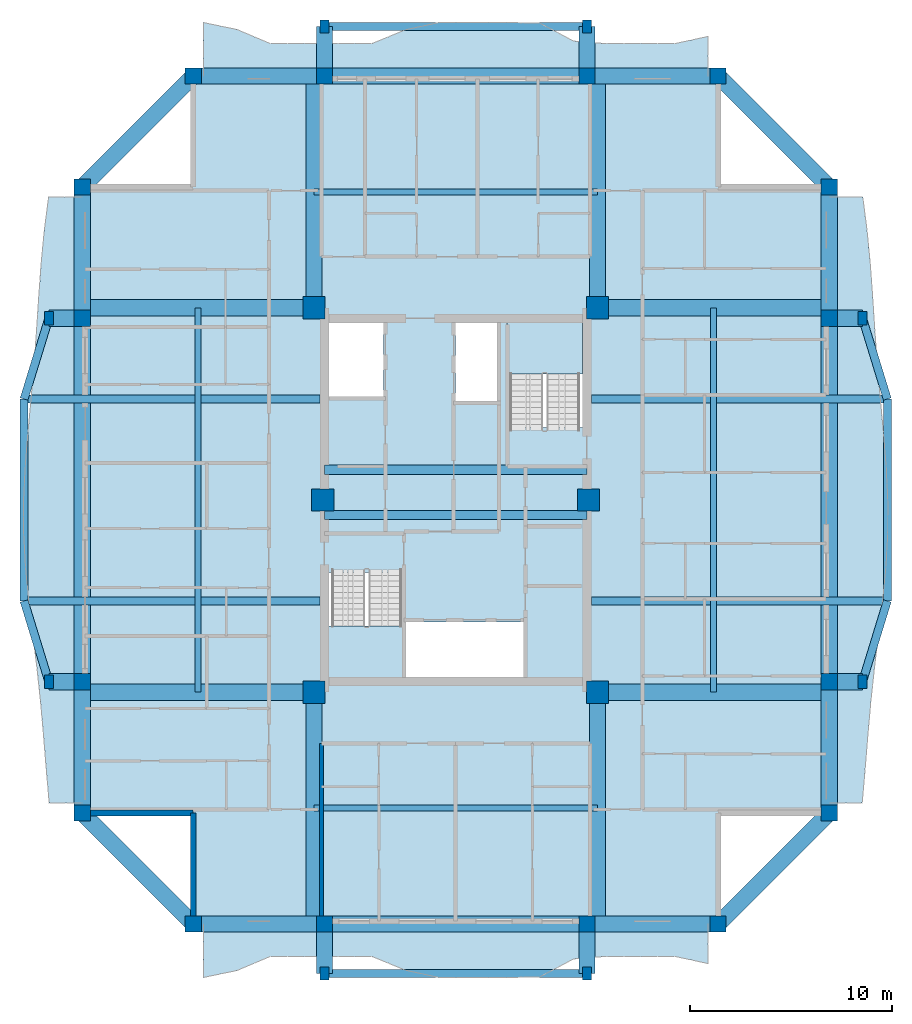
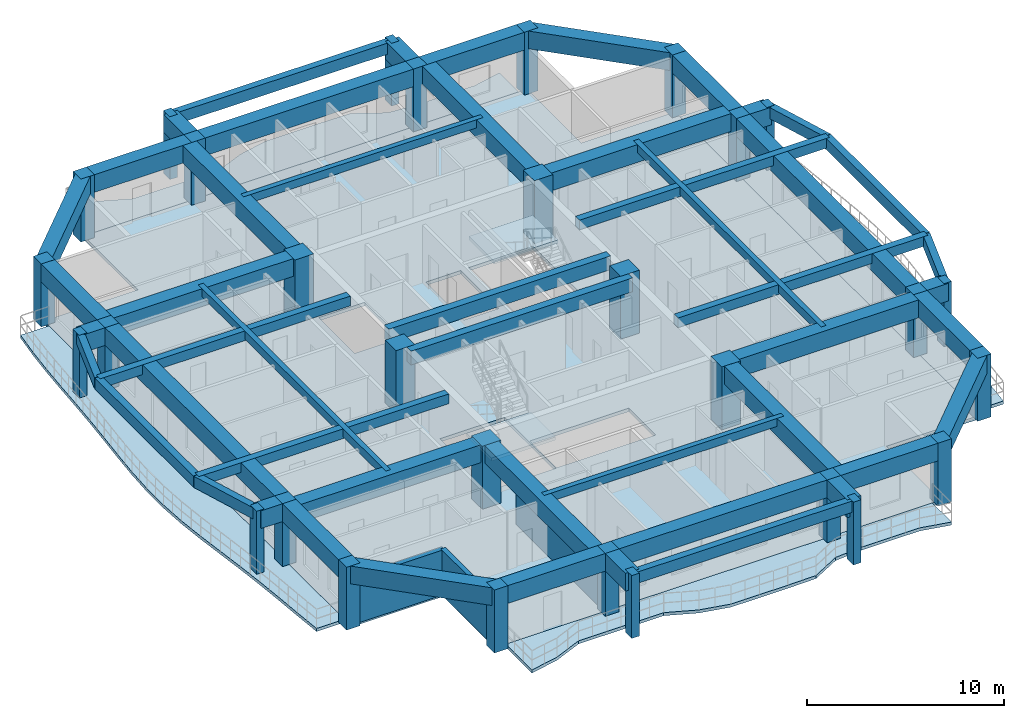
# One storey, part 1 of 14: 50 beams, 30 columns, 7 slabs, 3 walls, 2 elements without a shape of their own.
"""IFC4 building model written with IfcOpenShell, lengths in metres."""

from ifc_helpers import new_model, si_unit, direction, frame, frame_2d, origin, origin_2d, place, context, subcontext, project, spatial, polyline, rectangle, outline, extrude, source, transform, mapped, material, layer, layer_set, material_profile, profile_set, type_object, element, aggregate, save


model = new_model("IFC4")

# Units and contexts
model_context = context("Model", 3, precision=1e-05, world=origin(), true_north=direction((0.0, 1.0)))
body_context = subcontext(model_context, "Body", "Model", "MODEL_VIEW")
ifc_project = project(units=[si_unit("LENGTHUNIT", "METRE"), si_unit("AREAUNIT", "SQUARE_METRE"), si_unit("VOLUMEUNIT", "CUBIC_METRE"), si_unit("PLANEANGLEUNIT", "RADIAN"), si_unit("MASSUNIT", "GRAM", prefix="KILO")], contexts=[model_context])

# Site, building, storey
site_placement = place(None, origin())
site = spatial("IfcSite", under=ifc_project, at=site_placement, CompositionType="ELEMENT")
building_placement = place(site_placement, origin())
building = spatial("IfcBuilding", under=site, at=building_placement, Name="Saelheon Loggia Tower", CompositionType="ELEMENT")
storey_placement = place(building_placement, frame((0.0, 0.0, 202.60009765625)))
storey = spatial("IfcBuildingStorey", under=building, at=storey_placement, Name="L63", CompositionType="ELEMENT", Elevation=202.60009765625)

# Columns
ifc_material_1 = material(Name="Concrete C50/60", Category="concrete")
ifc_material_profile_1 = material_profile(ifc_material_1, rectangle(XDim=1.10009765625, YDim=1.10009765625, at=origin_2d()), Name="RC-1100x1100")
ifc_profile_set_1 = profile_set([ifc_material_profile_1], Name="Concrete C50/60")
column_type_1 = type_object("IfcColumnType", Name="Col_Core_RC1100", PredefinedType="COLUMN", material=ifc_profile_set_1)
shared_shape_1 = source(origin(), body_context, "Body", "SweptSolid", [
    extrude(rectangle(XDim=1.10009765625, YDim=1.10009765625, at=origin_2d()), origin(), (0.0, 0.0, 1.0), 3.89990234375),
])
for number, where, z_axis, x_axis, name in (
    (1, (30.97998046875, 17.47998046875, 0.0), (0.0, 0.0, 1.0), (1.0, 0.0, 0.0), "L63 Core Column CR-SW"),
    (2, (45.02001953125, 17.47998046875, 0.0), (0.0, 0.0, 1.0), (1.0, 0.0, 0.0), "L63 Core Column CR-SE"),
    (3, (30.97998046875, 36.52001953125, 0.0), (0.0, 0.0, 1.0), (1.0, 0.0, 0.0), "L63 Core Column CR-NW"),
    (4, (45.02001953125, 36.52001953125, 0.0), (0.0, 0.0, 1.0), (1.0, 0.0, 0.0), "L63 Core Column CR-NE"),
    (5, (31.419921875, 27.0, 0.0), (0.0, 0.0, 1.0), (1.0, 0.0, 0.0), "L63 Core Column CR-MW"),
    (6, (44.580078125, 27.0, 0.0), (0.0, 0.0, 1.0), (1.0, 0.0, 0.0), "L63 Core Column CR-ME"),
):
    element("IfcColumn", number, at=place(storey_placement, frame(where, z_axis=z_axis, x_axis=x_axis)), inside=storey, type_object=column_type_1, Name=name, PredefinedType="COLUMN", context=body_context, shape_type="MappedRepresentation", body=[
        mapped(shared_shape_1, transform((0.0, 0.0, 0.0), scale=1.0)),
    ])
ifc_material_2 = material(Name="Concrete C45/55", Category="concrete")
ifc_material_profile_2 = material_profile(ifc_material_2, rectangle(XDim=0.800048828125, YDim=0.800048828125, at=origin_2d()), Name="RC-800x800")
ifc_profile_set_2 = profile_set([ifc_material_profile_2], Name="Concrete C45/55")
column_type_2 = type_object("IfcColumnType", Name="Col_Perim_RC800", PredefinedType="COLUMN", material=ifc_profile_set_2)
shared_shape_2 = source(origin(), body_context, "Body", "SweptSolid", [
    extrude(rectangle(XDim=0.800048828125, YDim=0.800048828125, at=origin_2d()), origin(), (0.0, 0.0, 1.0), 3.89990234375),
])
for number, where, z_axis, x_axis, name in (
    (7, (25.0, 6.0, 0.0), (0.0, 0.0, 1.0), (1.0, 0.0, 0.0), "L63 Perimeter Column TP-S1"),
    (8, (31.5, 6.0, 0.0), (0.0, 0.0, 1.0), (1.0, 0.0, 0.0), "L63 Perimeter Column TP-SA"),
    (9, (44.5, 6.0, 0.0), (0.0, 0.0, 1.0), (1.0, 0.0, 0.0), "L63 Perimeter Column TP-SB"),
    (10, (51.0, 6.0, 0.0), (0.0, 0.0, 1.0), (1.0, 0.0, 0.0), "L63 Perimeter Column TP-S2"),
    (11, (56.5, 11.5, 0.0), (0.0, 0.0, 1.0), (1.0, 0.0, 0.0), "L63 Perimeter Column TP-E1"),
    (12, (56.5, 18.0, 0.0), (0.0, 0.0, 1.0), (1.0, 0.0, 0.0), "L63 Perimeter Column TP-EA"),
    (13, (56.5, 36.0, 0.0), (0.0, 0.0, 1.0), (1.0, 0.0, 0.0), "L63 Perimeter Column TP-EB"),
    (14, (56.5, 42.5, 0.0), (0.0, 0.0, 1.0), (1.0, 0.0, 0.0), "L63 Perimeter Column TP-E2"),
    (15, (51.0, 48.0, 0.0), (0.0, 0.0, 1.0), (1.0, 0.0, 0.0), "L63 Perimeter Column TP-N2"),
    (16, (44.5, 48.0, 0.0), (0.0, 0.0, 1.0), (1.0, 0.0, 0.0), "L63 Perimeter Column TP-NB"),
    (17, (31.5, 48.0, 0.0), (0.0, 0.0, 1.0), (1.0, 0.0, 0.0), "L63 Perimeter Column TP-NA"),
    (18, (25.0, 48.0, 0.0), (0.0, 0.0, 1.0), (1.0, 0.0, 0.0), "L63 Perimeter Column TP-N1"),
    (19, (19.5, 42.5, 0.0), (0.0, 0.0, 1.0), (1.0, 0.0, 0.0), "L63 Perimeter Column TP-W2"),
    (20, (19.5, 36.0, 0.0), (0.0, 0.0, 1.0), (1.0, 0.0, 0.0), "L63 Perimeter Column TP-WB"),
    (21, (19.5, 18.0, 0.0), (0.0, 0.0, 1.0), (1.0, 0.0, 0.0), "L63 Perimeter Column TP-WA"),
    (22, (19.5, 11.5, 0.0), (0.0, 0.0, 1.0), (1.0, 0.0, 0.0), "L63 Perimeter Column TP-W1"),
):
    element("IfcColumn", number, at=place(storey_placement, frame(where, z_axis=z_axis, x_axis=x_axis)), inside=storey, type_object=column_type_2, Name=name, PredefinedType="COLUMN", context=body_context, shape_type="MappedRepresentation", body=[
        mapped(shared_shape_2, transform((0.0, 0.0, 0.0), scale=1.0)),
    ])
ifc_material_3 = material(Name="Precast Concrete C45/55", Category="concrete")
ifc_material_profile_3 = material_profile(ifc_material_3, rectangle(XDim=0.449951171875, YDim=0.64990234375, at=origin_2d()), Name="RC-450x650")
ifc_profile_set_3 = profile_set([ifc_material_profile_3], Name="Precast Concrete C45/55")
column_type_3 = type_object("IfcColumnType", Name="Col_Loggia_Pilaster_650", PredefinedType="PILASTER", material=ifc_profile_set_3)
shared_shape_3 = source(origin(), body_context, "Body", "SweptSolid", [
    extrude(rectangle(XDim=0.449951171875, YDim=0.64990234375, at=origin_2d()), origin(), (0.0, 0.0, 1.0), 3.89990234375),
])
for number, where, z_axis, x_axis, name in (
    (23, (31.5, 3.550048828125, 0.0), (0.0, 0.0, 1.0), (1.0, 0.0, 0.0), "L63 Loggia Frame Pilaster LP-S1"),
    (24, (44.5, 3.550048828125, 0.0), (0.0, 0.0, 1.0), (1.0, 0.0, 0.0), "L63 Loggia Frame Pilaster LP-S2"),
    (25, (31.5, 50.449951171875, 0.0), (0.0, 0.0, 1.0), (1.0, 0.0, 0.0), "L63 Loggia Frame Pilaster LP-N1"),
    (26, (44.5, 50.449951171875, 0.0), (0.0, 0.0, 1.0), (1.0, 0.0, 0.0), "L63 Loggia Frame Pilaster LP-N2"),
    (27, (58.14990234375, 18.0, 0.0), (0.0, 0.0, 1.0), (1.0, 0.0, 0.0), "L63 Loggia Frame Pilaster LP-E1"),
    (28, (58.14990234375, 36.0, 0.0), (0.0, 0.0, 1.0), (1.0, 0.0, 0.0), "L63 Loggia Frame Pilaster LP-E2"),
    (29, (17.85009765625, 18.0, 0.0), (0.0, 0.0, 1.0), (1.0, 0.0, 0.0), "L63 Loggia Frame Pilaster LP-W1"),
    (30, (17.85009765625, 36.0, 0.0), (0.0, 0.0, 1.0), (1.0, 0.0, 0.0), "L63 Loggia Frame Pilaster LP-W2"),
):
    element("IfcColumn", number, at=place(storey_placement, frame(where, z_axis=z_axis, x_axis=x_axis)), inside=storey, type_object=column_type_3, Name=name, PredefinedType="PILASTER", context=body_context, shape_type="MappedRepresentation", body=[
        mapped(shared_shape_3, transform((0.0, 0.0, 0.0), scale=1.0)),
    ])

# Beams
ifc_material_profile_4 = material_profile(ifc_material_1, rectangle(XDim=0.449951171875, YDim=0.85009765625, at=origin_2d()), Name="RC-450x850")
ifc_profile_set_4 = profile_set([ifc_material_profile_4], Name="Concrete C50/60")
beam_type_1 = type_object("IfcBeamType", Name="Beam_CoreLintel_RC450x850", PredefinedType="LINTEL", material=ifc_profile_set_4)
shared_shape_4 = source(origin(), body_context, "Body", "SweptSolid", [
    extrude(rectangle(XDim=0.449951171875, YDim=0.85009765625, at=origin_2d()), origin(), (0.0, 0.0, 1.0), 13.0),
])
for number, where, z_axis, x_axis, name in (
    (31, (31.5, 26.25, 3.474853515625), (1.0, 0.0, 0.0), (0.0, 1.0, 0.0), "L63 Core Coupling Lintel 1"),
    (32, (31.5, 28.5, 3.474853515625), (1.0, 0.0, 0.0), (0.0, 1.0, 0.0), "L63 Core Coupling Lintel 2"),
):
    element("IfcBeam", number, at=place(storey_placement, frame(where, z_axis=z_axis, x_axis=x_axis)), inside=storey, type_object=beam_type_1, Name=name, PredefinedType="LINTEL", context=body_context, shape_type="MappedRepresentation", body=[
        mapped(shared_shape_4, transform((0.0, 0.0, 0.0), scale=1.0)),
    ])
ifc_material_4 = material(Name="Concrete C40/50", Category="concrete")
ifc_material_profile_5 = material_profile(ifc_material_4, rectangle(XDim=0.300048828125, YDim=0.5, at=origin_2d()), Name="RC-300x500")
ifc_profile_set_5 = profile_set([ifc_material_profile_5], Name="Concrete C40/50")
beam_type_2 = type_object("IfcBeamType", Name="Beam_Joist_RC300x500", PredefinedType="JOIST", material=ifc_profile_set_5)
shared_shape_5 = source(origin(), body_context, "Body", "SweptSolid", [
    extrude(rectangle(XDim=0.300048828125, YDim=0.5, at=origin_2d()), origin(), (0.0, 0.0, 1.0), 14.0400390625),
])
for number, where, z_axis, x_axis, name in (
    (33, (30.97998046875, 11.739990234375, 3.64990234375), (1.0, 0.0, 0.0), (0.0, 1.0, 0.0), "L63 South Floor Joist"),
    (34, (30.97998046875, 42.260009765625, 3.64990234375), (1.0, 0.0, 0.0), (0.0, 1.0, 0.0), "L63 North Floor Joist"),
):
    element("IfcBeam", number, at=place(storey_placement, frame(where, z_axis=z_axis, x_axis=x_axis)), inside=storey, type_object=beam_type_2, Name=name, PredefinedType="JOIST", context=body_context, shape_type="MappedRepresentation", body=[
        mapped(shared_shape_5, transform((0.0, 0.0, 0.0), scale=1.0)),
    ])
shared_shape_6 = source(origin(), body_context, "Body", "SweptSolid", [
    extrude(rectangle(XDim=0.300048828125, YDim=0.5, at=origin_2d()), origin(), (0.0, 0.0, 1.0), 19.0400390625),
])
for number, where, z_axis, x_axis, name in (
    (35, (25.239990234375, 17.47998046875, 3.64990234375), (0.0, 1.0, 0.0), (-1.0, 0.0, 0.0), "L63 West Floor Joist"),
    (36, (50.760009765625, 17.47998046875, 3.64990234375), (0.0, 1.0, 0.0), (-1.0, 0.0, 0.0), "L63 East Floor Joist"),
):
    element("IfcBeam", number, at=place(storey_placement, frame(where, z_axis=z_axis, x_axis=x_axis)), inside=storey, type_object=beam_type_2, Name=name, PredefinedType="JOIST", context=body_context, shape_type="MappedRepresentation", body=[
        mapped(shared_shape_6, transform((0.0, 0.0, 0.0), scale=1.0)),
    ])
ifc_material_profile_6 = material_profile(ifc_material_1, rectangle(XDim=0.800048828125, YDim=1.10009765625, at=origin_2d()), Name="RC-800x1100")
ifc_profile_set_6 = profile_set([ifc_material_profile_6], Name="Concrete C50/60")
beam_type_3 = type_object("IfcBeamType", Name="Beam_PerimSetback_RC800x1100", PredefinedType="BEAM", material=ifc_profile_set_6)
shared_shape_7 = source(origin(), body_context, "Body", "SweptSolid", [
    extrude(rectangle(XDim=0.800048828125, YDim=1.10009765625, at=origin_2d()), origin(), (0.0, 0.0, 1.0), 13.0),
])
for number, where, z_axis, x_axis, name in (
    (37, (31.5, 6.0, 3.349853515625), (1.0, 0.0, 0.0), (0.0, 1.0, 0.0), "L63 Perimeter Frame Girder 02"),
    (38, (44.5, 48.0, 3.349853515625), (-1.0, 0.0, 0.0), (0.0, -1.0, 0.0), "L63 Perimeter Frame Girder 10"),
):
    element("IfcBeam", number, at=place(storey_placement, frame(where, z_axis=z_axis, x_axis=x_axis)), inside=storey, type_object=beam_type_3, Name=name, PredefinedType="BEAM", context=body_context, shape_type="MappedRepresentation", body=[
        mapped(shared_shape_7, transform((0.0, 0.0, 0.0), scale=1.0)),
    ])
shared_shape_8 = source(origin(), body_context, "Body", "SweptSolid", [
    extrude(rectangle(XDim=0.800048828125, YDim=1.10009765625, at=origin_2d()), origin(), (0.0, 0.0, 1.0), 18.0),
])
for number, where, z_axis, x_axis, name in (
    (39, (56.5, 18.0, 3.349853515625), (0.0, 1.0, 0.0), (-1.0, 0.0, 0.0), "L63 Perimeter Frame Girder 06"),
    (40, (19.5, 36.0, 3.349853515625), (0.0, -1.0, 0.0), (1.0, 0.0, 0.0), "L63 Perimeter Frame Girder 14"),
):
    element("IfcBeam", number, at=place(storey_placement, frame(where, z_axis=z_axis, x_axis=x_axis)), inside=storey, type_object=beam_type_3, Name=name, PredefinedType="BEAM", context=body_context, shape_type="MappedRepresentation", body=[
        mapped(shared_shape_8, transform((0.0, 0.0, 0.0), scale=1.0)),
    ])
ifc_material_profile_7 = material_profile(ifc_material_1, rectangle(XDim=0.800048828125, YDim=1.10009765625, at=origin_2d()), Name="RC-800x1100")
ifc_profile_set_7 = profile_set([ifc_material_profile_7], Name="Concrete C50/60")
beam_type_4 = type_object("IfcBeamType", Name="Beam_SetbackTransfer_RC800x1100", PredefinedType="BEAM", material=ifc_profile_set_7)
shared_shape_9 = source(origin(), body_context, "Body", "SweptSolid", [
    extrude(rectangle(XDim=0.800048828125, YDim=1.10009765625, at=origin_2d()), origin(), (0.0, 0.0, 1.0), 11.47998046875),
])
for number, where, z_axis, x_axis, name in (
    (41, (30.97998046875, 17.47998046875, 3.349853515625), (0.0, -1.0, 0.0), (1.0, 0.0, 0.0), "L63 Radial Floor Girder RAD-SW-S"),
    (42, (45.02001953125, 17.47998046875, 3.349853515625), (0.0, -1.0, 0.0), (1.0, 0.0, 0.0), "L63 Radial Floor Girder RAD-SE-S"),
    (43, (30.97998046875, 36.52001953125, 3.349853515625), (0.0, 1.0, 0.0), (-1.0, 0.0, 0.0), "L63 Radial Floor Girder RAD-NW-N"),
    (44, (45.02001953125, 36.52001953125, 3.349853515625), (0.0, 1.0, 0.0), (-1.0, 0.0, 0.0), "L63 Radial Floor Girder RAD-NE-N"),
    (45, (30.97998046875, 17.47998046875, 3.349853515625), (-1.0, 0.0, 0.0), (0.0, -1.0, 0.0), "L63 Radial Floor Girder RAD-SW-W"),
    (46, (30.97998046875, 36.52001953125, 3.349853515625), (-1.0, 0.0, 0.0), (0.0, -1.0, 0.0), "L63 Radial Floor Girder RAD-NW-W"),
    (47, (45.02001953125, 17.47998046875, 3.349853515625), (1.0, 0.0, 0.0), (0.0, 1.0, 0.0), "L63 Radial Floor Girder RAD-SE-E"),
    (48, (45.02001953125, 36.52001953125, 3.349853515625), (1.0, 0.0, 0.0), (0.0, 1.0, 0.0), "L63 Radial Floor Girder RAD-NE-E"),
):
    element("IfcBeam", number, at=place(storey_placement, frame(where, z_axis=z_axis, x_axis=x_axis)), inside=storey, type_object=beam_type_4, Name=name, PredefinedType="BEAM", context=body_context, shape_type="MappedRepresentation", body=[
        mapped(shared_shape_9, transform((0.0, 0.0, 0.0), scale=1.0)),
    ])
shared_shape_10 = source(origin(), body_context, "Body", "SweptSolid", [
    extrude(rectangle(XDim=0.800048828125, YDim=1.10009765625, at=origin_2d()), origin(), (0.0, 0.0, 1.0), 2.449951171875),
])
for number, where, z_axis, x_axis, name in (
    (49, (31.5, 6.0, 3.349853515625), (0.0, -1.0, 0.0), (1.0, 0.0, 0.0), "L63 Loggia Frame Tie Beam LP-S1"),
    (50, (44.5, 6.0, 3.349853515625), (0.0, -1.0, 0.0), (1.0, 0.0, 0.0), "L63 Loggia Frame Tie Beam LP-S2"),
    (51, (31.5, 48.0, 3.349853515625), (0.0, 1.0, 0.0), (-1.0, 0.0, 0.0), "L63 Loggia Frame Tie Beam LP-N1"),
    (52, (44.5, 48.0, 3.349853515625), (0.0, 1.0, 0.0), (-1.0, 0.0, 0.0), "L63 Loggia Frame Tie Beam LP-N2"),
):
    element("IfcBeam", number, at=place(storey_placement, frame(where, z_axis=z_axis, x_axis=x_axis)), inside=storey, type_object=beam_type_3, Name=name, PredefinedType="BEAM", context=body_context, shape_type="MappedRepresentation", body=[
        mapped(shared_shape_10, transform((0.0, 0.0, 0.0), scale=1.0)),
    ])
shared_shape_11 = source(origin(), body_context, "Body", "SweptSolid", [
    extrude(rectangle(XDim=0.800048828125, YDim=1.10009765625, at=origin_2d()), origin(), (0.0, 0.0, 1.0), 1.64990234375),
])
for number, where, z_axis, x_axis, name in (
    (53, (56.5, 18.0, 3.349853515625), (1.0, 0.0, 0.0), (0.0, 1.0, 0.0), "L63 Loggia Frame Tie Beam LP-E1"),
    (54, (56.5, 36.0, 3.349853515625), (1.0, 0.0, 0.0), (0.0, 1.0, 0.0), "L63 Loggia Frame Tie Beam LP-E2"),
    (55, (19.5, 18.0, 3.349853515625), (-1.0, 0.0, 0.0), (0.0, -1.0, 0.0), "L63 Loggia Frame Tie Beam LP-W1"),
    (56, (19.5, 36.0, 3.349853515625), (-1.0, 0.0, 0.0), (0.0, -1.0, 0.0), "L63 Loggia Frame Tie Beam LP-W2"),
):
    element("IfcBeam", number, at=place(storey_placement, frame(where, z_axis=z_axis, x_axis=x_axis)), inside=storey, type_object=beam_type_3, Name=name, PredefinedType="BEAM", context=body_context, shape_type="MappedRepresentation", body=[
        mapped(shared_shape_11, transform((0.0, 0.0, 0.0), scale=1.0)),
    ])
ifc_material_profile_8 = material_profile(ifc_material_3, rectangle(XDim=0.39990234375, YDim=0.699951171875, at=origin_2d()), Name="RC-400x700")
ifc_profile_set_8 = profile_set([ifc_material_profile_8], Name="Precast Concrete C45/55")
beam_type_5 = type_object("IfcBeamType", Name="Beam_LoggiaSpandrel_RC400x700", PredefinedType="SPANDREL", material=ifc_profile_set_8)
shared_shape_12 = source(origin(), body_context, "Body", "SweptSolid", [
    extrude(rectangle(XDim=0.39990234375, YDim=0.699951171875, at=origin_2d()), origin(), (0.0, 0.0, 1.0), 13.0),
])
for number, where, z_axis, x_axis, name in (
    (57, (31.5, 3.550048828125, 3.5498046875), (1.0, 0.0, 0.0), (0.0, 1.0, 0.0), "L63 Loggia Spandrel Beam S"),
    (58, (31.5, 50.449951171875, 3.5498046875), (1.0, 0.0, 0.0), (0.0, 1.0, 0.0), "L63 Loggia Spandrel Beam N"),
):
    element("IfcBeam", number, at=place(storey_placement, frame(where, z_axis=z_axis, x_axis=x_axis)), inside=storey, type_object=beam_type_5, Name=name, PredefinedType="SPANDREL", context=body_context, shape_type="MappedRepresentation", body=[
        mapped(shared_shape_12, transform((0.0, 0.0, 0.0), scale=1.0)),
    ])
shared_shape_13 = source(origin(), body_context, "Body", "SweptSolid", [
    extrude(rectangle(XDim=0.39990234375, YDim=0.699951171875, at=origin_2d()), origin(), (0.0, 0.0, 1.0), 4.184814453125),
])
for number, where, z_axis, x_axis, name in (
    (59, (58.14990234375, 18.0, 3.5498046875), (0.293913664135, 0.955831971653, 0.0), (-0.955831971653, 0.293913664135, 0.0), "L63 Curved Loggia Spandrel E 1"),
    (60, (59.3798828125, 32.0, 3.5498046875), (-0.293913664135, 0.955831971653, 0.0), (-0.955831971653, -0.293913664135, 0.0), "L63 Curved Loggia Spandrel E 3"),
    (61, (17.85009765625, 18.0, 3.5498046875), (-0.293913664135, 0.955831971653, 0.0), (-0.955831971653, -0.293913664135, 0.0), "L63 Curved Loggia Spandrel W 1"),
    (62, (16.6201171875, 32.0, 3.5498046875), (0.293913664135, 0.955831971653, 0.0), (-0.955831971653, 0.293913664135, 0.0), "L63 Curved Loggia Spandrel W 3"),
):
    element("IfcBeam", number, at=place(storey_placement, frame(where, z_axis=z_axis, x_axis=x_axis)), inside=storey, type_object=beam_type_5, Name=name, PredefinedType="SPANDREL", context=body_context, shape_type="MappedRepresentation", body=[
        mapped(shared_shape_13, transform((0.0, 0.0, 0.0), scale=1.0)),
    ])
shared_shape_14 = source(origin(), body_context, "Body", "SweptSolid", [
    extrude(rectangle(XDim=0.39990234375, YDim=0.699951171875, at=origin_2d()), origin(), (0.0, 0.0, 1.0), 10.0),
])
for number, where, z_axis, x_axis, name in (
    (63, (59.3798828125, 22.0, 3.5498046875), (0.0, 1.0, 0.0), (-1.0, 0.0, 0.0), "L63 Curved Loggia Spandrel E 2"),
    (64, (16.6201171875, 22.0, 3.5498046875), (0.0, 1.0, 0.0), (-1.0, 0.0, 0.0), "L63 Curved Loggia Spandrel W 2"),
):
    element("IfcBeam", number, at=place(storey_placement, frame(where, z_axis=z_axis, x_axis=x_axis)), inside=storey, type_object=beam_type_5, Name=name, PredefinedType="SPANDREL", context=body_context, shape_type="MappedRepresentation", body=[
        mapped(shared_shape_14, transform((0.0, 0.0, 0.0), scale=1.0)),
    ])
ifc_material_profile_9 = material_profile(ifc_material_3, rectangle(XDim=0.39990234375, YDim=0.60009765625, at=origin_2d()), Name="RC-400x600")
ifc_profile_set_9 = profile_set([ifc_material_profile_9], Name="Precast Concrete C45/55")
beam_type_6 = type_object("IfcBeamType", Name="Beam_LoggiaTie_RC400x600", PredefinedType="BEAM", material=ifc_profile_set_9)
shared_shape_15 = source(origin(), body_context, "Body", "SweptSolid", [
    extrude(rectangle(XDim=0.39990234375, YDim=0.60009765625, at=origin_2d()), origin(), (0.0, 0.0, 1.0), 14.659912109375),
])
for number, where, z_axis, x_axis, name in (
    (65, (44.719970703125, 22.0, 3.599853515625), (1.0, 0.0, 0.0), (0.0, 1.0, 0.0), "L63 Curved Facade Outrigger Beam E 1"),
    (66, (44.719970703125, 32.0, 3.599853515625), (1.0, 0.0, 0.0), (0.0, 1.0, 0.0), "L63 Curved Facade Outrigger Beam E 2"),
    (67, (31.280029296875, 22.0, 3.599853515625), (-1.0, 0.0, 0.0), (0.0, -1.0, 0.0), "L63 Curved Facade Outrigger Beam W 1"),
    (68, (31.280029296875, 32.0, 3.599853515625), (-1.0, 0.0, 0.0), (0.0, -1.0, 0.0), "L63 Curved Facade Outrigger Beam W 2"),
):
    element("IfcBeam", number, at=place(storey_placement, frame(where, z_axis=z_axis, x_axis=x_axis)), inside=storey, type_object=beam_type_6, Name=name, PredefinedType="BEAM", context=body_context, shape_type="MappedRepresentation", body=[
        mapped(shared_shape_15, transform((0.0, 0.0, 0.0), scale=1.0)),
    ])
shared_shape_16 = source(origin(), body_context, "Body", "SweptSolid", [
    extrude(rectangle(XDim=0.800048828125, YDim=1.10009765625, at=origin_2d()), origin(), (0.0, 0.0, 1.0), 6.5),
])
for number, where, z_axis, x_axis, name in (
    (69, (25.0, 6.0, 3.349853515625), (1.0, 0.0, 0.0), (0.0, 1.0, 0.0), "L63 Perimeter Frame Girder 01"),
    (70, (44.5, 6.0, 3.349853515625), (1.0, 0.0, 0.0), (0.0, 1.0, 0.0), "L63 Perimeter Frame Girder 03"),
    (71, (56.5, 11.5, 3.349853515625), (0.0, 1.0, 0.0), (-1.0, 0.0, 0.0), "L63 Perimeter Frame Girder 05"),
    (72, (56.5, 36.0, 3.349853515625), (0.0, 1.0, 0.0), (-1.0, 0.0, 0.0), "L63 Perimeter Frame Girder 07"),
    (73, (51.0, 48.0, 3.349853515625), (-1.0, 0.0, 0.0), (0.0, -1.0, 0.0), "L63 Perimeter Frame Girder 09"),
    (74, (31.5, 48.0, 3.349853515625), (-1.0, 0.0, 0.0), (0.0, -1.0, 0.0), "L63 Perimeter Frame Girder 11"),
    (75, (19.5, 42.5, 3.349853515625), (0.0, -1.0, 0.0), (1.0, 0.0, 0.0), "L63 Perimeter Frame Girder 13"),
    (76, (19.5, 18.0, 3.349853515625), (0.0, -1.0, 0.0), (1.0, 0.0, 0.0), "L63 Perimeter Frame Girder 15"),
):
    element("IfcBeam", number, at=place(storey_placement, frame(where, z_axis=z_axis, x_axis=x_axis)), inside=storey, type_object=beam_type_3, Name=name, PredefinedType="BEAM", context=body_context, shape_type="MappedRepresentation", body=[
        mapped(shared_shape_16, transform((0.0, 0.0, 0.0), scale=1.0)),
    ])
shared_shape_17 = source(origin(), body_context, "Body", "SweptSolid", [
    extrude(rectangle(XDim=0.800048828125, YDim=1.10009765625, at=origin_2d()), origin(), (0.0, 0.0, 1.0), 7.778076171875),
])
for number, where, z_axis, x_axis, name in (
    (77, (51.0, 6.0, 3.349853515625), (0.707106781187, 0.707106781187, 0.0), (-0.707106781187, 0.707106781187, 0.0), "L63 Perimeter Frame Girder 04"),
    (78, (56.5, 42.5, 3.349853515625), (-0.707106781187, 0.707106781187, 0.0), (-0.707106781187, -0.707106781187, 0.0), "L63 Perimeter Frame Girder 08"),
    (79, (25.0, 48.0, 3.349853515625), (-0.707106781187, -0.707106781187, 0.0), (0.707106781187, -0.707106781187, 0.0), "L63 Perimeter Frame Girder 12"),
    (80, (19.5, 11.5, 3.349853515625), (0.707106781187, -0.707106781187, 0.0), (0.707106781187, 0.707106781187, 0.0), "L63 Perimeter Frame Girder 16"),
):
    element("IfcBeam", number, at=place(storey_placement, frame(where, z_axis=z_axis, x_axis=x_axis)), inside=storey, type_object=beam_type_3, Name=name, PredefinedType="BEAM", context=body_context, shape_type="MappedRepresentation", body=[
        mapped(shared_shape_17, transform((0.0, 0.0, 0.0), scale=1.0)),
    ])

# Slabs
ifc_layer_1 = layer(ifc_material_3, 0.18994140625)
ifc_layer_set_1 = layer_set([ifc_layer_1], Name="Precast Concrete C45/55")
slab_type_1 = type_object("IfcSlabType", Name="Slab_Loggia_Ext_190", PredefinedType="FLOOR", material=ifc_layer_set_1)
slab_1_placement = place(storey_placement, frame((0.0, 0.0, -0.190185546875)))
element("IfcSlab", 81, at=slab_1_placement, inside=storey, type_object=slab_type_1, Name="L63 Loggia Balcony Slab S", PredefinedType="FLOOR", context=body_context, shape_type="SweptSolid", body=[
    extrude(outline(polyline([(25.5, 3.35009765625), (27.166748046875, 3.6962890625), (28.833251953125, 4.39990234375), (30.5, 4.39990234375), (32.166748046875, 4.39990234375), (33.833251953125, 4.39990234375), (35.5, 3.71435546875), (37.166748046875, 3.35009765625), (38.833251953125, 3.35009765625), (40.5, 3.35009765625), (42.166748046875, 3.3798828125), (43.833251953125, 4.268798828125), (45.5, 4.39990234375), (47.166748046875, 4.39990234375), (48.833251953125, 4.39990234375), (50.5, 4.039794921875), (50.5, 6.0), (25.5, 6.0), (25.5, 3.35009765625)])), origin(), (0.0, 0.0, 1.0), 0.190185546875),
])
slab_2_placement = place(storey_placement, frame((0.0, 0.0, -0.190185546875)))
element("IfcSlab", 82, at=slab_2_placement, inside=storey, type_object=slab_type_1, Name="L63 Loggia Balcony Slab N", PredefinedType="FLOOR", context=body_context, shape_type="SweptSolid", body=[
    extrude(outline(polyline([(25.5, 48.0), (50.5, 48.0), (50.5, 49.960205078125), (48.833251953125, 49.60009765625), (47.166748046875, 49.60009765625), (45.5, 49.60009765625), (43.833251953125, 49.731201171875), (42.166748046875, 50.6201171875), (40.5, 50.64990234375), (38.833251953125, 50.64990234375), (37.166748046875, 50.64990234375), (35.5, 50.28564453125), (33.833251953125, 49.60009765625), (32.166748046875, 49.60009765625), (30.5, 49.60009765625), (28.833251953125, 49.60009765625), (27.166748046875, 50.3037109375), (25.5, 50.64990234375), (25.5, 48.0)])), origin(), (0.0, 0.0, 1.0), 0.190185546875),
])
slab_3_placement = place(storey_placement, frame((0.0, 0.0, -0.190185546875)))
element("IfcSlab", 83, at=slab_3_placement, inside=storey, type_object=slab_type_1, Name="L63 Loggia Balcony Slab E", PredefinedType="FLOOR", context=body_context, shape_type="SweptSolid", body=[
    extrude(outline(polyline([(56.5, 12.0), (58.135009765625, 12.0), (58.28076171875, 13.666748046875), (58.4140625, 15.333251953125), (58.56201171875, 17.0), (58.739990234375, 18.666748046875), (58.942626953125, 20.333251953125), (59.14453125, 22.0), (59.308349609375, 23.666748046875), (59.39990234375, 25.333251953125), (59.402587890625, 27.0), (59.32275390625, 28.666748046875), (59.1875, 30.333251953125), (59.032470703125, 32.0), (58.887939453125, 33.666748046875), (58.766357421875, 35.333251953125), (58.658203125, 37.0), (58.5380859375, 38.666748046875), (58.37890625, 40.333251953125), (58.16455078125, 42.0), (56.5, 42.0), (56.5, 12.0)])), origin(), (0.0, 0.0, 1.0), 0.190185546875),
])
slab_4_placement = place(storey_placement, frame((0.0, 0.0, -0.190185546875)))
element("IfcSlab", 84, at=slab_4_placement, inside=storey, type_object=slab_type_1, Name="L63 Loggia Balcony Slab W", PredefinedType="FLOOR", context=body_context, shape_type="SweptSolid", body=[
    extrude(outline(polyline([(19.5, 12.0), (19.5, 42.0), (17.83544921875, 42.0), (17.62109375, 40.333251953125), (17.4619140625, 38.666748046875), (17.341796875, 37.0), (17.233642578125, 35.333251953125), (17.112060546875, 33.666748046875), (16.967529296875, 32.0), (16.8125, 30.333251953125), (16.67724609375, 28.666748046875), (16.597412109375, 27.0), (16.60009765625, 25.333251953125), (16.691650390625, 23.666748046875), (16.85546875, 22.0), (17.057373046875, 20.333251953125), (17.260009765625, 18.666748046875), (17.43798828125, 17.0), (17.5859375, 15.333251953125), (17.71923828125, 13.666748046875), (17.864990234375, 12.0), (19.5, 12.0)])), origin(), (0.0, 0.0, 1.0), 0.190185546875),
])

# Stair, slab
stair_type = type_object("IfcStairType", Name="Stair_Escape_Core", PredefinedType="HALF_TURN_STAIR", material=ifc_material_4)
stair_1_placement = place(storey_placement, origin())
stair_1 = element("IfcStair", 85, at=stair_1_placement, inside=storey, type_object=stair_type, Name="L63 Special Escape Stair ST1", PredefinedType="HALF_TURN_STAIR")
ifc_layer_2 = layer(ifc_material_4, 0.199951171875)
ifc_layer_set_2 = layer_set([ifc_layer_2], Name="Concrete C40/50")
slab_type_2 = type_object("IfcSlabType", Name="Slab_StairLanding_ST1", PredefinedType="LANDING", material=ifc_layer_set_2)
slab_5_placement = place(storey_placement, frame((0.0, 0.0, 1.75)))
slab_5 = element("IfcSlab", 86, at=slab_5_placement, type_object=slab_type_2, Name="ST1 landing 1", PredefinedType="LANDING", context=body_context, shape_type="SweptSolid", body=[
    extrude(outline(polyline([(31.7099609375, 20.75), (31.7099609375, 18.2099609375), (35.469970703125, 18.2099609375), (35.469970703125, 20.75), (31.7099609375, 20.75)])), origin(), (0.0, 0.0, 1.0), 0.199951171875),
])
aggregate(stair_1, [slab_5])

stair_2_placement = place(storey_placement, origin())
stair_2 = element("IfcStair", 87, at=stair_2_placement, inside=storey, type_object=stair_type, Name="L63 Special Escape Stair ST2", PredefinedType="HALF_TURN_STAIR")
ifc_layer_3 = layer(ifc_material_4, 0.199951171875)
ifc_layer_set_3 = layer_set([ifc_layer_3], Name="Concrete C40/50")
slab_type_3 = type_object("IfcSlabType", Name="Slab_StairLanding_ST2", PredefinedType="LANDING", material=ifc_layer_set_3)
slab_6_placement = place(storey_placement, frame((0.0, 0.0, 1.75)))
slab_6 = element("IfcSlab", 88, at=slab_6_placement, type_object=slab_type_3, Name="ST2 landing 1", PredefinedType="LANDING", context=body_context, shape_type="SweptSolid", body=[
    extrude(outline(polyline([(44.2900390625, 33.25), (44.2900390625, 35.7900390625), (40.530029296875, 35.7900390625), (40.530029296875, 33.25), (44.2900390625, 33.25)])), origin(), (0.0, 0.0, 1.0), 0.199951171875),
])
aggregate(stair_2, [slab_6])

# Slab
ifc_layer_4 = layer(ifc_material_4, 0.2099609375)
ifc_layer_set_4 = layer_set([ifc_layer_4], Name="Concrete C40/50")
slab_type_4 = type_object("IfcSlabType", Name="Slab_Tower_210", PredefinedType="FLOOR", material=ifc_layer_set_4)
slab_7_placement = place(storey_placement, frame((0.0, 0.0, -0.210205078125)))
element("IfcSlab", 89, at=slab_7_placement, inside=storey, type_object=slab_type_4, Name="L63 Tower Floor Slab", PredefinedType="FLOOR", context=body_context, shape_type="SweptSolid", body=[
    extrude(outline(polyline([(25.0, 6.0), (51.0, 6.0), (51.0, 11.5), (56.5, 11.5), (56.5, 42.5), (51.0, 42.5), (51.0, 48.0), (25.0, 48.0), (25.0, 42.5), (19.5, 42.5), (19.5, 11.5), (25.0, 11.5), (25.0, 6.0)]), holes=[polyline([(31.699951171875, 23.409912109375), (31.699951171875, 18.199951171875), (35.47998046875, 18.199951171875), (35.47998046875, 23.409912109375), (31.699951171875, 23.409912109375)]), polyline([(44.300048828125, 30.590087890625), (44.300048828125, 35.800048828125), (40.52001953125, 35.800048828125), (40.52001953125, 30.590087890625), (44.300048828125, 30.590087890625)]), polyline([(35.530029296875, 18.22509765625), (41.35009765625, 18.22509765625), (41.35009765625, 20.9599609375), (35.530029296875, 20.9599609375), (35.530029296875, 18.22509765625)]), polyline([(31.72509765625, 32.1201171875), (34.419921875, 32.1201171875), (34.419921875, 35.77490234375), (31.72509765625, 35.77490234375), (31.72509765625, 32.1201171875)]), polyline([(38.0, 31.89990234375), (40.050048828125, 31.89990234375), (40.050048828125, 35.77490234375), (38.0, 35.77490234375), (38.0, 31.89990234375)])]), origin(), (0.0, 0.0, 1.0), 0.210205078125),
])

# Walls
ifc_material_5 = material(Name="Architectural Precast Concrete C40/50", Category="concrete")
ifc_layer_5 = layer(ifc_material_5, 0.280029296875)
ifc_layer_set_5 = layer_set([ifc_layer_5], Name="Architectural Precast Concrete C40/50")
wall_type_1 = type_object("IfcWallType", Name="Wall_Ext_Loggia_280", PredefinedType="SOLIDWALL", material=ifc_layer_set_5)
for number, where, z_axis, x_axis, name in (
    (90, (25.0, 6.080078125, 0.0), (0.0, 0.0, 1.0), (0.0, 1.0, 0.0), "L63 Corner Notch Precast Wall SW1"),
    (91, (19.580078125, 11.5, 0.0), (0.0, 0.0, 1.0), (1.0, 0.0, 0.0), "L63 Corner Notch Precast Wall SW2"),
):
    element("IfcWall", number, at=place(storey_placement, frame(where, z_axis=z_axis, x_axis=x_axis)), inside=storey, type_object=wall_type_1, Name=name, PredefinedType="SOLIDWALL", context=body_context, shape_type="SweptSolid", body=[
        extrude(rectangle(XDim=5.419921875, YDim=0.280029296875, at=frame_2d((2.7099609375, 0.0))), origin(), (0.0, 0.0, 1.0), 2.789794921875),
    ])
ifc_material_6 = material(Name="Double Acoustic Stud and Fireboard Partition", Category="gypsum")
ifc_layer_6 = layer(ifc_material_6, 0.199951171875)
ifc_layer_set_6 = layer_set([ifc_layer_6], Name="Double Acoustic Stud and Fireboard Partition")
wall_type_2 = type_object("IfcWallType", Name="Wall_Party_200", PredefinedType="PARTITIONING", material=ifc_layer_set_6)
wall_placement = place(storey_placement, frame((31.35009765625, 14.949951171875, 0.0), z_axis=(0.0, 0.0, 1.0), x_axis=(0.0, -1.0, 0.0)))
element("IfcWall", 92, at=wall_placement, inside=storey, type_object=wall_type_2, Name="L63 S Partition U01", PredefinedType="PARTITIONING", context=body_context, shape_type="SweptSolid", body=[
    extrude(rectangle(XDim=8.800048828125, YDim=0.199951171875, at=frame_2d((4.39990234375, 0.0))), origin(), (0.0, 0.0, 1.0), 2.789794921875),
])

save(model, "model.ifc")
